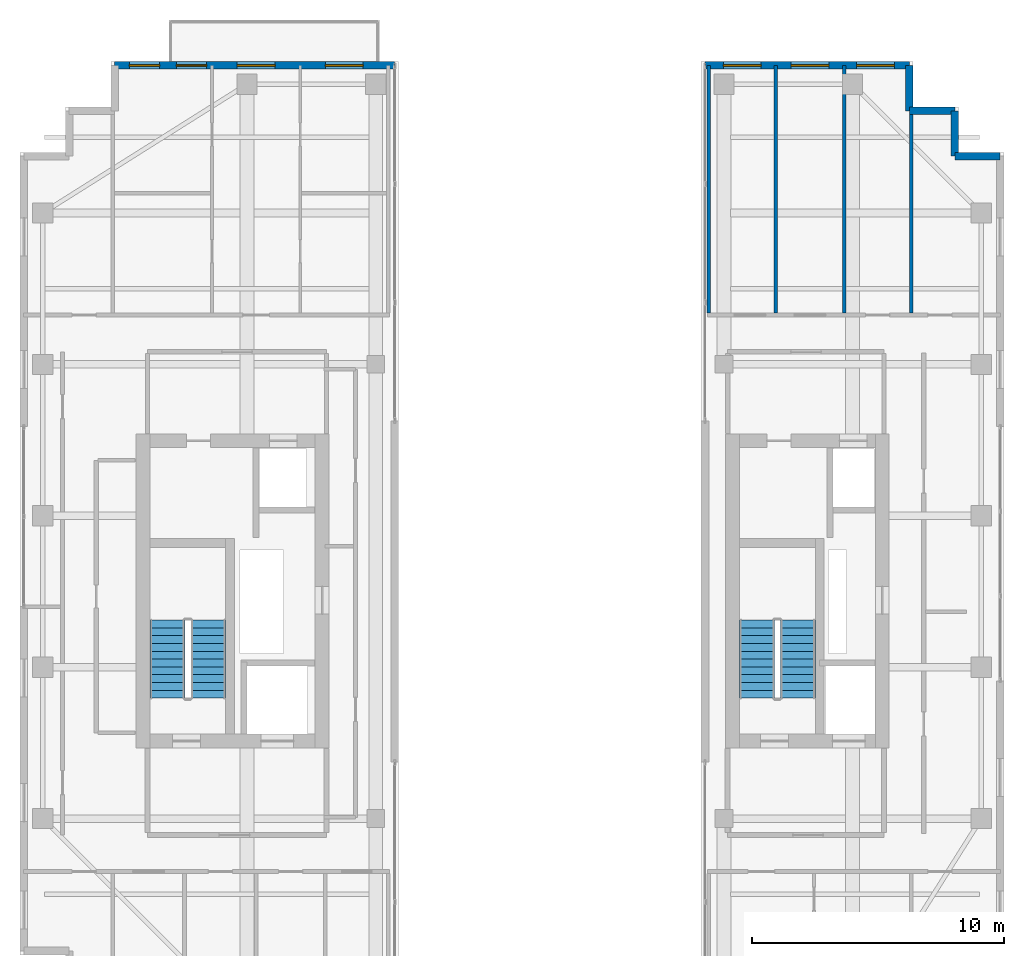
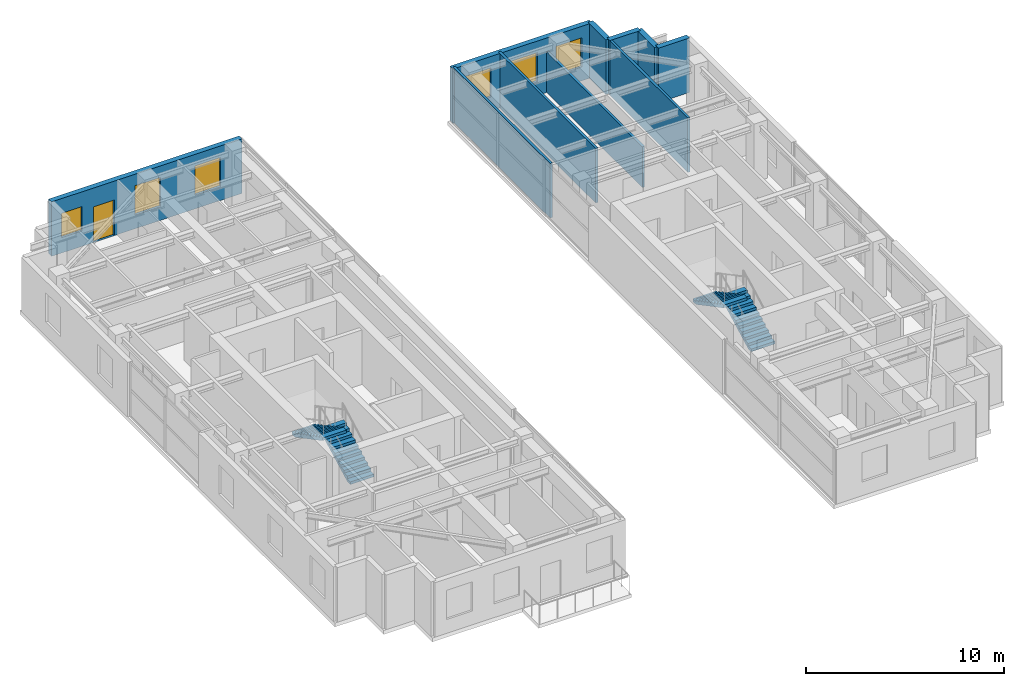
# One storey, part 20 of 22: 10 walls, 6 windows, 4 stair flights, 1 door, 7 openings, 2 elements without a shape of their own.
"""IFC4 building model written with IfcOpenShell, lengths in metres."""

from ifc_helpers import new_model, si_unit, direction, frame, frame_2d, origin, place, context, subcontext, project, spatial, polyline, rectangle, outline, extrude, source, transform, mapped, material, layer, layer_set, type_object, element, fill, aggregate, save


model = new_model("IFC4")

# Units and contexts
model_context = context("Model", 3, precision=1e-05, world=origin(), true_north=direction((0.0, 1.0)))
body_context = subcontext(model_context, "Body", "Model", "MODEL_VIEW")
ifc_project = project(units=[si_unit("LENGTHUNIT", "METRE"), si_unit("AREAUNIT", "SQUARE_METRE"), si_unit("VOLUMEUNIT", "CUBIC_METRE"), si_unit("PLANEANGLEUNIT", "RADIAN"), si_unit("MASSUNIT", "GRAM", prefix="KILO")], contexts=[model_context])

# Site, building, storey
site_placement = place(None, origin())
site = spatial("IfcSite", under=ifc_project, at=site_placement, CompositionType="ELEMENT")
building_placement = place(site_placement, origin())
building = spatial("IfcBuilding", under=site, at=building_placement, Name="Khoralis Quay Care Tower", CompositionType="ELEMENT")
storey_placement = place(building_placement, frame((0.0, 0.0, 260.10009765625)))
storey = spatial("IfcBuildingStorey", under=building, at=storey_placement, Name="L68", CompositionType="ELEMENT", Elevation=260.10009765625)

# Wall, openings, windows, door
ifc_material_1 = material(Name="Precast concrete C45/55", Category="concrete")
ifc_layer_1 = layer(ifc_material_1, 0.300048828125)
ifc_layer_set_1 = layer_set([ifc_layer_1], Name="Precast concrete C45/55")
wall_type_1 = type_object("IfcWallType", Name="WL-EXT-REF-300", PredefinedType="SOLIDWALL", material=ifc_layer_set_1)
wall_1_placement = place(storey_placement, frame((17.85009765625, 41.85009765625, 0.0), z_axis=(0.0, 0.0, 1.0), x_axis=(-1.0, 0.0, 0.0)))
wall_1 = element("IfcWall", 1, at=wall_1_placement, inside=storey, type_object=wall_type_1, Name="L68 External Facade Wall WL-EXT-L68-P1-E2", PredefinedType="SOLIDWALL", context=body_context, shape_type="SweptSolid", body=[
    extrude(rectangle(XDim=11.10009765625, YDim=0.300048828125, at=frame_2d((5.550048828125, 0.0))), origin(), (0.0, 0.0, 1.0), 3.35986328125),
])
opening_1_placement = place(wall_1_placement, frame((1.2470703125, 0.0, 0.85009765625)))
opening_1 = element("IfcOpeningElement", 2, at=opening_1_placement, cuts=wall_1, Name="Opening W3", PredefinedType="OPENING", context=body_context, shape_type="SweptSolid", body=[
    extrude(rectangle(XDim=1.5, YDim=1.800048828125, at=frame_2d((0.75, 0.89990234375))), frame((0.0, 0.16015625, 0.0), z_axis=(0.0, -1.0, 0.0), x_axis=(1.0, 0.0, 0.0)), (0.0, 0.0, 1.0), 0.320068359375),
])
opening_2_placement = place(wall_1_placement, frame((4.741455078125, 0.0, 0.85009765625)))
opening_2 = element("IfcOpeningElement", 3, at=opening_2_placement, cuts=wall_1, Name="Opening W3", PredefinedType="OPENING", context=body_context, shape_type="SweptSolid", body=[
    extrude(rectangle(XDim=1.5, YDim=1.800048828125, at=frame_2d((0.75, 0.89990234375))), frame((0.0, 0.16015625, 0.0), z_axis=(0.0, -1.0, 0.0), x_axis=(1.0, 0.0, 0.0)), (0.0, 0.0, 1.0), 0.320068359375),
])
opening_3_placement = place(wall_1_placement, frame((9.320068359375, 0.0, 0.949951171875)))
opening_3 = element("IfcOpeningElement", 4, at=opening_3_placement, cuts=wall_1, Name="Opening W6", PredefinedType="OPENING", context=body_context, shape_type="SweptSolid", body=[
    extrude(rectangle(XDim=1.199951171875, YDim=1.5, at=frame_2d((0.60009765625, 0.75))), frame((0.0, 0.16015625, 0.0), z_axis=(0.0, -1.0, 0.0), x_axis=(1.0, 0.0, 0.0)), (0.0, 0.0, 1.0), 0.320068359375),
])
opening_4_placement = place(wall_1_placement, frame((7.449951171875, 0.0, 0.0)))
opening_4 = element("IfcOpeningElement", 5, at=opening_4_placement, cuts=wall_1, Name="Opening BD1", PredefinedType="OPENING", context=body_context, shape_type="SweptSolid", body=[
    extrude(rectangle(XDim=1.199951171875, YDim=2.199951171875, at=frame_2d((0.60009765625, 1.10009765625))), frame((0.0, 0.16015625, 0.0), z_axis=(0.0, -1.0, 0.0), x_axis=(1.0, 0.0, 0.0)), (0.0, 0.0, 1.0), 0.320068359375),
])
ifc_material_2 = material(Name="Low-E solar-control double glazing", Category="glass")
window_type_1 = type_object("IfcWindowType", Name="WN-CLIN-1500X1800", PartitioningType="SINGLE_PANEL", PredefinedType="WINDOW", material=ifc_material_2)
shared_shape_1 = source(origin(), body_context, "Body", "SweptSolid", [
    extrude(rectangle(XDim=1.5, YDim=1.800048828125, at=frame_2d((0.75, 0.89990234375))), frame((0.0, 0.030029296875, 0.0), z_axis=(0.0, -1.0, 0.0), x_axis=(1.0, 0.0, 0.0)), (0.0, 0.0, 1.0), 0.06005859375),
])
window_1_placement = place(opening_1_placement, origin())
window_1 = element("IfcWindow", 6, at=window_1_placement, inside=storey, type_object=window_type_1, Name="WN-L68-P1-E2 Facade Window 01", OverallHeight=1.800048828125, OverallWidth=1.5, PartitioningType="SINGLE_PANEL", PredefinedType="WINDOW", context=body_context, shape_type="MappedRepresentation", body=[
    mapped(shared_shape_1, transform((0.0, 0.0, 0.0), scale=1.0)),
])
fill(opening_1, window_1)
window_2_placement = place(opening_2_placement, origin())
window_2 = element("IfcWindow", 7, at=window_2_placement, inside=storey, type_object=window_type_1, Name="WN-L68-P1-E2 Facade Window 02", OverallHeight=1.800048828125, OverallWidth=1.5, PartitioningType="SINGLE_PANEL", PredefinedType="WINDOW", context=body_context, shape_type="MappedRepresentation", body=[
    mapped(shared_shape_1, transform((0.0, 0.0, 0.0), scale=1.0)),
])
fill(opening_2, window_2)
window_type_2 = type_object("IfcWindowType", Name="WN-SCH-1200X1500", PartitioningType="SINGLE_PANEL", PredefinedType="WINDOW", material=ifc_material_2)
shared_shape_2 = source(origin(), body_context, "Body", "SweptSolid", [
    extrude(rectangle(XDim=1.199951171875, YDim=1.5, at=frame_2d((0.60009765625, 0.75))), frame((0.0, 0.030029296875, 0.0), z_axis=(0.0, -1.0, 0.0), x_axis=(1.0, 0.0, 0.0)), (0.0, 0.0, 1.0), 0.06005859375),
])
window_3_placement = place(opening_3_placement, origin())
window_3 = element("IfcWindow", 8, at=window_3_placement, inside=storey, type_object=window_type_2, Name="WN-L68-P1-E2 Facade Window 03", OverallHeight=1.5, OverallWidth=1.199951171875, PartitioningType="SINGLE_PANEL", PredefinedType="WINDOW", context=body_context, shape_type="MappedRepresentation", body=[
    mapped(shared_shape_2, transform((0.0, 0.0, 0.0), scale=1.0)),
])
fill(opening_3, window_3)
ifc_material_3 = material(Name="Anodised aluminium and laminated safety glass", Category="aluminium")
door_type = type_object("IfcDoorType", Name="DR-EXT-BALC-1200X2200", OperationType="NOTDEFINED", PredefinedType="DOOR", material=ifc_material_3)
shared_shape_3 = source(origin(), body_context, "Body", "SweptSolid", [
    extrude(rectangle(XDim=1.199951171875, YDim=2.199951171875, at=frame_2d((0.60009765625, 1.10009765625))), frame((0.0, 0.02490234375, 0.0), z_axis=(0.0, -1.0, 0.0), x_axis=(1.0, 0.0, 0.0)), (0.0, 0.0, 1.0), 0.050048828125),
])
door_placement = place(opening_4_placement, frame((1.199951171875, 0.0, 0.0), z_axis=(0.0, 0.0, 1.0), x_axis=(-1.0, 0.0, 0.0)))
door = element("IfcDoor", 9, at=door_placement, inside=storey, type_object=door_type, Name="L68 Senior Loggia Balcony Door", OperationType="SINGLE_SWING_LEFT", OverallHeight=2.199951171875, OverallWidth=1.199951171875, PredefinedType="DOOR", context=body_context, shape_type="MappedRepresentation", body=[
    mapped(shared_shape_3, transform((0.0, 0.0, 0.0), scale=1.0)),
])
fill(opening_4, door)

# Walls
for number, where, z_axis, x_axis, name in (
    (10, (41.85009765625, 38.25, 0.0), (0.0, 0.0, 1.0), (-1.0, 0.0, 0.0), "L68 External Facade Wall WL-EXT-L68-P2-C6"),
    (11, (40.050048828125, 38.25, 0.0), (0.0, 0.0, 1.0), (0.0, 1.0, 0.0), "L68 External Facade Wall WL-EXT-L68-P2-C7"),
    (12, (40.050048828125, 40.050048828125, 0.0), (0.0, 0.0, 1.0), (-1.0, 0.0, 0.0), "L68 External Facade Wall WL-EXT-L68-P2-C8"),
    (13, (38.25, 40.050048828125, 0.0), (0.0, 0.0, 1.0), (0.0, 1.0, 0.0), "L68 External Facade Wall WL-EXT-L68-P2-C9"),
):
    element("IfcWall", number, at=place(storey_placement, frame(where, z_axis=z_axis, x_axis=x_axis)), inside=storey, type_object=wall_type_1, Name=name, PredefinedType="SOLIDWALL", context=body_context, shape_type="SweptSolid", body=[
        extrude(rectangle(XDim=1.800048828125, YDim=0.300048828125, at=frame_2d((0.89990234375, 0.0))), origin(), (0.0, 0.0, 1.0), 3.35986328125),
    ])

# Wall, openings, windows
wall_2_placement = place(storey_placement, frame((38.25, 41.85009765625, 0.0), z_axis=(0.0, 0.0, 1.0), x_axis=(-1.0, 0.0, 0.0)))
wall_2 = element("IfcWall", 14, at=wall_2_placement, inside=storey, type_object=wall_type_1, Name="L68 External Facade Wall WL-EXT-L68-P2-E10", PredefinedType="SOLIDWALL", context=body_context, shape_type="SweptSolid", body=[
    extrude(rectangle(XDim=8.10009765625, YDim=0.300048828125, at=frame_2d((4.050048828125, 0.0))), origin(), (0.0, 0.0, 1.0), 3.35986328125),
])
opening_5_placement = place(wall_2_placement, frame((0.590087890625, 0.0, 0.85009765625)))
opening_5 = element("IfcOpeningElement", 15, at=opening_5_placement, cuts=wall_2, Name="Opening W3", PredefinedType="OPENING", context=body_context, shape_type="SweptSolid", body=[
    extrude(rectangle(XDim=1.5, YDim=1.800048828125, at=frame_2d((0.75, 0.89990234375))), frame((0.0, 0.16015625, 0.0), z_axis=(0.0, -1.0, 0.0), x_axis=(1.0, 0.0, 0.0)), (0.0, 0.0, 1.0), 0.320068359375),
])
opening_6_placement = place(wall_2_placement, frame((3.18994140625, 0.0, 0.85009765625)))
opening_6 = element("IfcOpeningElement", 16, at=opening_6_placement, cuts=wall_2, Name="Opening W3", PredefinedType="OPENING", context=body_context, shape_type="SweptSolid", body=[
    extrude(rectangle(XDim=1.5, YDim=1.800048828125, at=frame_2d((0.75, 0.89990234375))), frame((0.0, 0.16015625, 0.0), z_axis=(0.0, -1.0, 0.0), x_axis=(1.0, 0.0, 0.0)), (0.0, 0.0, 1.0), 0.320068359375),
])
opening_7_placement = place(wall_2_placement, frame((5.875, 0.0, 0.85009765625)))
opening_7 = element("IfcOpeningElement", 17, at=opening_7_placement, cuts=wall_2, Name="Opening W3", PredefinedType="OPENING", context=body_context, shape_type="SweptSolid", body=[
    extrude(rectangle(XDim=1.5, YDim=1.800048828125, at=frame_2d((0.75, 0.89990234375))), frame((0.0, 0.16015625, 0.0), z_axis=(0.0, -1.0, 0.0), x_axis=(1.0, 0.0, 0.0)), (0.0, 0.0, 1.0), 0.320068359375),
])
window_4_placement = place(opening_5_placement, origin())
window_4 = element("IfcWindow", 18, at=window_4_placement, inside=storey, type_object=window_type_1, Name="WN-L68-P2-E10 Facade Window 01", OverallHeight=1.800048828125, OverallWidth=1.5, PartitioningType="SINGLE_PANEL", PredefinedType="WINDOW", context=body_context, shape_type="MappedRepresentation", body=[
    mapped(shared_shape_1, transform((0.0, 0.0, 0.0), scale=1.0)),
])
fill(opening_5, window_4)
window_5_placement = place(opening_6_placement, origin())
window_5 = element("IfcWindow", 19, at=window_5_placement, inside=storey, type_object=window_type_1, Name="WN-L68-P2-E10 Facade Window 02", OverallHeight=1.800048828125, OverallWidth=1.5, PartitioningType="SINGLE_PANEL", PredefinedType="WINDOW", context=body_context, shape_type="MappedRepresentation", body=[
    mapped(shared_shape_1, transform((0.0, 0.0, 0.0), scale=1.0)),
])
fill(opening_6, window_5)
window_6_placement = place(opening_7_placement, origin())
window_6 = element("IfcWindow", 20, at=window_6_placement, inside=storey, type_object=window_type_1, Name="WN-L68-P2-E10 Facade Window 03", OverallHeight=1.800048828125, OverallWidth=1.5, PartitioningType="SINGLE_PANEL", PredefinedType="WINDOW", context=body_context, shape_type="MappedRepresentation", body=[
    mapped(shared_shape_1, transform((0.0, 0.0, 0.0), scale=1.0)),
])
fill(opening_7, window_6)

# Walls
ifc_material_4 = material(Name="Gypsum plasterboard on acoustic metal stud")
ifc_layer_2 = layer(ifc_material_4, 0.139892578125)
ifc_layer_set_2 = layer_set([ifc_layer_2], Name="Gypsum plasterboard on acoustic metal stud")
wall_type_2 = type_object("IfcWallType", Name="WL-UNIT-140", PredefinedType="PARTITIONING", material=ifc_layer_set_2)
for number, where, z_axis, x_axis, name in (
    (21, (30.300048828125, 32.03759765625, 0.0), (0.0, 0.0, 1.0), (0.0, 1.0, 0.0), "L68 EN Demising Wall 0"),
    (22, (32.949951171875, 32.03759765625, 0.0), (0.0, 0.0, 1.0), (0.0, 1.0, 0.0), "L68 EN Demising Wall 1"),
):
    element("IfcWall", number, at=place(storey_placement, frame(where, z_axis=z_axis, x_axis=x_axis)), inside=storey, type_object=wall_type_2, Name=name, PredefinedType="PARTITIONING", context=body_context, shape_type="SweptSolid", body=[
        extrude(rectangle(XDim=9.8173828125, YDim=0.139892578125, at=frame_2d((4.90869140625, 0.0))), origin(), (0.0, 0.0, 1.0), 3.35986328125),
    ])
wall_3_placement = place(storey_placement, frame((35.669921875, 32.03759765625, 0.0), z_axis=(0.0, 0.0, 1.0), x_axis=(0.0, 1.0, 0.0)))
element("IfcWall", 23, at=wall_3_placement, inside=storey, type_object=wall_type_2, Name="L68 EN Demising Wall 2", PredefinedType="PARTITIONING", context=body_context, shape_type="SweptSolid", body=[
    extrude(rectangle(XDim=9.8173828125, YDim=0.139892578125, at=frame_2d((4.90869140625, 0.0))), origin(), (0.0, 0.0, 1.0), 2.510009765625),
])
wall_4_placement = place(storey_placement, frame((38.320068359375, 32.03759765625, 0.0), z_axis=(0.0, 0.0, 1.0), x_axis=(0.0, 1.0, 0.0)))
element("IfcWall", 24, at=wall_4_placement, inside=storey, type_object=wall_type_2, Name="L68 EN Demising Wall 3", PredefinedType="PARTITIONING", context=body_context, shape_type="SweptSolid", body=[
    extrude(rectangle(XDim=8.017333984375, YDim=0.139892578125, at=frame_2d((4.0087890625, 0.0))), origin(), (0.0, 0.0, 1.0), 3.35986328125),
])

# Stair, stair flights
stair_type = type_object("IfcStairType", Name="ST-TWR-DOGLEG-1400", PredefinedType="HALF_TURN_STAIR", material=ifc_material_1)
stair_1_placement = place(storey_placement, origin())
stair_1 = element("IfcStair", 25, at=stair_1_placement, inside=storey, type_object=stair_type, Name="L68 West Core Exit Stair ST-T1", PredefinedType="HALF_TURN_STAIR")
stair_flight_type = type_object("IfcStairFlightType", Name="SF-TWR-1400", PredefinedType="STRAIGHT", material=ifc_material_1)
shared_shape_4 = source(origin(), body_context, "Body", "SweptSolid", [
    extrude(outline(polyline([(0.0, 0.0), (0.0, 0.16357421875), (0.31005859375, 0.16357421875), (0.31005859375, 0.327392578125), (0.6201171875, 0.327392578125), (0.6201171875, 0.490966796875), (0.929931640625, 0.490966796875), (0.929931640625, 0.654541015625), (1.239990234375, 0.654541015625), (1.239990234375, 0.818115234375), (1.550048828125, 0.818115234375), (1.550048828125, 0.98193359375), (1.860107421875, 0.98193359375), (1.860107421875, 1.1455078125), (2.169921875, 1.1455078125), (2.169921875, 1.30908203125), (2.47998046875, 1.30908203125), (2.47998046875, 1.47265625), (2.7900390625, 1.47265625), (2.7900390625, 1.636474609375), (3.10009765625, 1.636474609375), (3.10009765625, 1.800048828125), (3.10009765625, 1.466796875), (0.321044921875, 0.0), (0.0, 0.0)])), frame((0.0, 0.68994140625, 0.0), z_axis=(0.0, -1.0, 0.0), x_axis=(1.0, 0.0, 0.0)), (0.0, 0.0, 1.0), 1.3798828125),
])
stair_flight_1_placement = place(storey_placement, frame((10.4599609375, 16.77001953125, 0.0), z_axis=(0.0, 0.0, 1.0), x_axis=(0.0, 1.0, 0.0)))
stair_flight_1 = element("IfcStairFlight", 26, at=stair_flight_1_placement, type_object=stair_flight_type, Name="ST-T1 flight 1", NumberOfRisers=11, NumberOfTreads=10, PredefinedType="STRAIGHT", RiserHeight=0.163636364, TreadLength=0.31, context=body_context, shape_type="MappedRepresentation", body=[
    mapped(shared_shape_4, transform((0.0, 0.0, 0.0), scale=1.0)),
])
stair_flight_2_placement = place(storey_placement, frame((8.840087890625, 19.8701171875, 1.7998046875), z_axis=(0.0, 0.0, 1.0), x_axis=(0.0, -1.0, 0.0)))
stair_flight_2 = element("IfcStairFlight", 27, at=stair_flight_2_placement, type_object=stair_flight_type, Name="ST-T1 flight 2", NumberOfRisers=11, NumberOfTreads=10, PredefinedType="STRAIGHT", RiserHeight=0.163636364, TreadLength=0.31, context=body_context, shape_type="MappedRepresentation", body=[
    mapped(shared_shape_4, transform((0.0, 0.0, 0.0), scale=1.0)),
])
aggregate(stair_1, [stair_flight_1, stair_flight_2])

stair_2_placement = place(storey_placement, origin())
stair_2 = element("IfcStair", 28, at=stair_2_placement, inside=storey, type_object=stair_type, Name="L68 East Core Exit Stair ST-T2", PredefinedType="HALF_TURN_STAIR")
stair_flight_3_placement = place(storey_placement, frame((33.830078125, 16.77001953125, 0.0), z_axis=(0.0, 0.0, 1.0), x_axis=(0.0, 1.0, 0.0)))
stair_flight_3 = element("IfcStairFlight", 29, at=stair_flight_3_placement, type_object=stair_flight_type, Name="ST-T2 flight 1", NumberOfRisers=11, NumberOfTreads=10, PredefinedType="STRAIGHT", RiserHeight=0.163636364, TreadLength=0.31, context=body_context, shape_type="MappedRepresentation", body=[
    mapped(shared_shape_4, transform((0.0, 0.0, 0.0), scale=1.0)),
])
stair_flight_4_placement = place(storey_placement, frame((32.2099609375, 19.8701171875, 1.7998046875), z_axis=(0.0, 0.0, 1.0), x_axis=(0.0, -1.0, 0.0)))
stair_flight_4 = element("IfcStairFlight", 30, at=stair_flight_4_placement, type_object=stair_flight_type, Name="ST-T2 flight 2", NumberOfRisers=11, NumberOfTreads=10, PredefinedType="STRAIGHT", RiserHeight=0.163636364, TreadLength=0.31, context=body_context, shape_type="MappedRepresentation", body=[
    mapped(shared_shape_4, transform((0.0, 0.0, 0.0), scale=1.0)),
])
aggregate(stair_2, [stair_flight_3, stair_flight_4])

save(model, "model.ifc")
